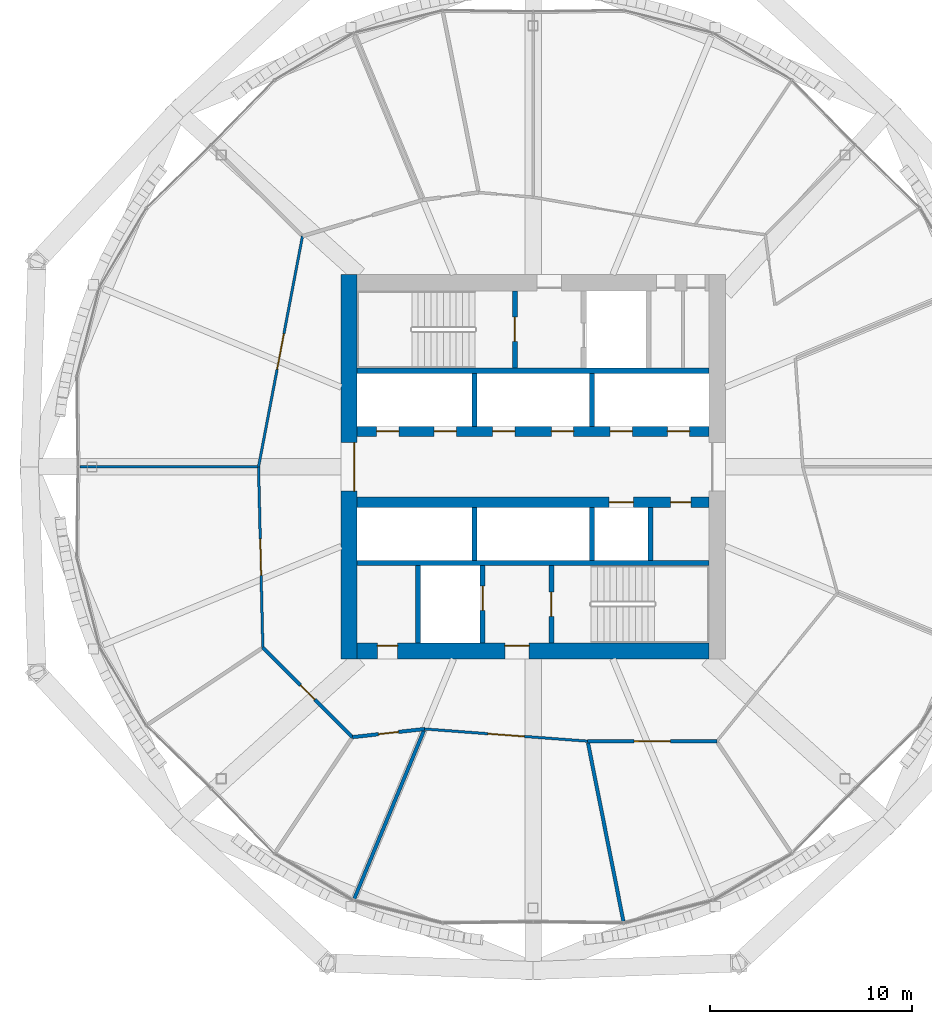
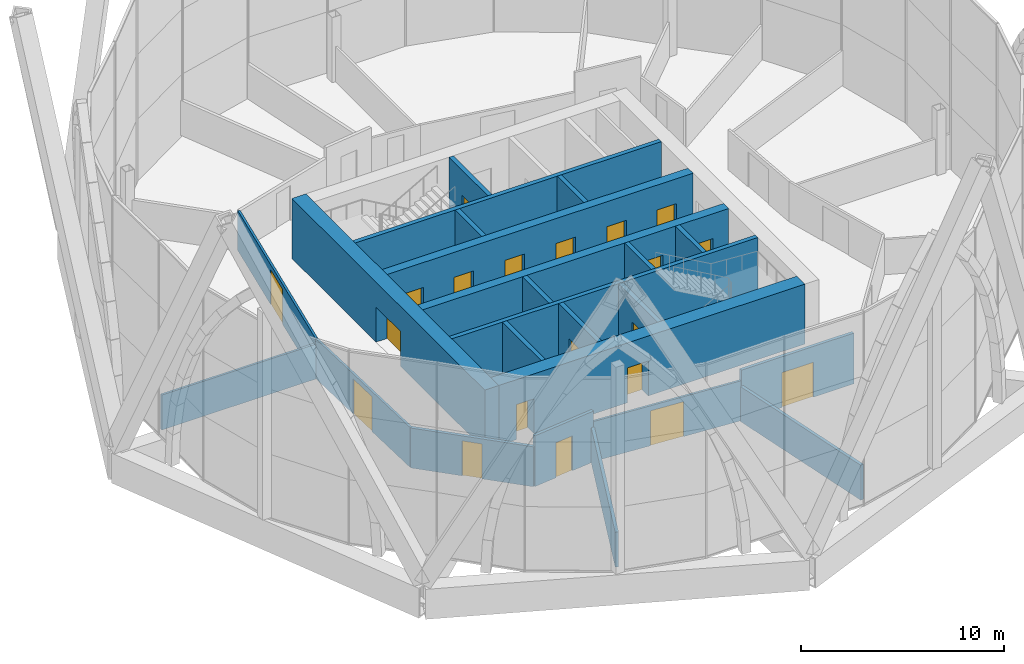
# One storey, part 28 of 37: 24 walls, 20 doors, 20 openings.
"""IFC4 building model written with IfcOpenShell, lengths in metres."""

from ifc_helpers import new_model, si_unit, direction, frame, frame_2d, origin, place, context, subcontext, project, spatial, rectangle, extrude, material, layer, layer_set, type_object, element, fill, save


model = new_model("IFC4")

# Units and contexts
model_context = context("Model", 3, precision=1e-05, world=origin(), true_north=direction((0.0, 1.0)))
body_context = subcontext(model_context, "Body", "Model", "MODEL_VIEW")
ifc_project = project(units=[si_unit("LENGTHUNIT", "METRE"), si_unit("AREAUNIT", "SQUARE_METRE"), si_unit("VOLUMEUNIT", "CUBIC_METRE"), si_unit("PLANEANGLEUNIT", "RADIAN"), si_unit("MASSUNIT", "GRAM", prefix="KILO")], contexts=[model_context])

# Site, building, storey
site_placement = place(None, origin())
site = spatial("IfcSite", under=ifc_project, at=site_placement, CompositionType="ELEMENT")
building_placement = place(site_placement, origin())
building = spatial("IfcBuilding", under=site, at=building_placement, Name="Ogive Gate Towers", CompositionType="ELEMENT")
storey_placement = place(building_placement, frame((0.0, 0.0, 32.39990234375)))
storey = spatial("IfcBuildingStorey", under=building, at=storey_placement, Name="L06", CompositionType="ELEMENT", Elevation=32.39990234375)

# Walls
ifc_material_1 = material(Name="Gypsum board acoustic partition")
ifc_layer_1 = layer(ifc_material_1, 0.175048828125)
ifc_layer_set_1 = layer_set([ifc_layer_1], Name="Acoustic partition 175")
wall_type_1 = type_object("IfcWallType", Name="Acoustic partition 175", PredefinedType="PARTITIONING", material=ifc_layer_set_1)
wall_1_placement = place(storey_placement, frame((-44.885986328125, -21.452880859375, 0.0), z_axis=(0.0, 0.0, 1.0), x_axis=(0.382679495808, 0.923881163077, 0.0)))
element("IfcWall", 1, at=wall_1_placement, inside=storey, type_object=wall_type_1, Name="Partition T1-L06-013", PredefinedType="PARTITIONING", context=body_context, shape_type="SweptSolid", body=[
    extrude(rectangle(XDim=9.10205078125, YDim=0.175048828125, at=frame_2d((4.551025390625, 0.0))), origin(), (0.0, 0.0, 1.0), 2.10009765625),
])
wall_2_placement = place(storey_placement, frame((-31.538330078125, -22.470947265625, 0.0), z_axis=(0.0, 0.0, 1.0), x_axis=(-0.194737431918, 0.980855408615, 0.0)))
element("IfcWall", 2, at=wall_2_placement, inside=storey, type_object=wall_type_1, Name="Partition T1-L06-014", PredefinedType="PARTITIONING", context=body_context, shape_type="SweptSolid", body=[
    extrude(rectangle(XDim=8.991455078125, YDim=0.175048828125, at=frame_2d((4.49560546875, 0.0))), origin(), (0.0, 0.0, 1.0), 2.10009765625),
])

# Wall, opening, door
wall_3_placement = place(storey_placement, frame((-49.367431640625, -8.9384765625, 0.0), z_axis=(0.0, 0.0, 1.0), x_axis=(0.707106781187, -0.707106781187, 0.0)))
wall_3 = element("IfcWall", 3, at=wall_3_placement, inside=storey, type_object=wall_type_1, Name="Partition T1-L06-025", PredefinedType="PARTITIONING", context=body_context, shape_type="SweptSolid", body=[
    extrude(rectangle(XDim=6.263427734375, YDim=0.175048828125, at=frame_2d((3.1318359375, 0.0))), origin(), (0.0, 0.0, 1.0), 2.400146484375),
])
opening_1_placement = place(wall_3_placement, frame((2.632080078125, 0.0, 0.0)))
opening_1 = element("IfcOpeningElement", 4, at=opening_1_placement, cuts=wall_3, Name="Opening T1-L06-D09", PredefinedType="OPENING", context=body_context, shape_type="SweptSolid", body=[
    extrude(rectangle(XDim=1.0, YDim=2.10009765625, at=frame_2d((0.5, 1.050048828125))), frame((0.0, 0.09765625, 0.0), z_axis=(0.0, -1.0, 0.0), x_axis=(1.0, 0.0, 0.0)), (0.0, 0.0, 1.0), 0.195068359375),
])
ifc_material_2 = material(Name="Timber door", Category="wood")
door_type_1 = type_object("IfcDoorType", Name="Door 1000", OperationType="NOTDEFINED", PredefinedType="DOOR", material=ifc_material_2)
door_1_placement = place(opening_1_placement, origin())
door_1 = element("IfcDoor", 5, at=door_1_placement, inside=storey, type_object=door_type_1, Name="Door T1-L06-D09", OperationType="SINGLE_SWING_RIGHT", OverallHeight=2.10009765625, OverallWidth=1.0, PredefinedType="DOOR", context=body_context, shape_type="SweptSolid", body=[
    extrude(rectangle(XDim=1.0, YDim=2.10009765625, at=frame_2d((0.5, 1.050048828125))), frame((0.0, 0.02490234375, 0.0), z_axis=(0.0, -1.0, 0.0), x_axis=(1.0, 0.0, 0.0)), (0.0, 0.0, 1.0), 0.050048828125),
])
fill(opening_1, door_1)

wall_4_placement = place(storey_placement, frame((-44.9384765625, -13.367431640625, 0.0), z_axis=(0.0, 0.0, 1.0), x_axis=(0.993637621277, 0.11262449815, 0.0)))
wall_4 = element("IfcWall", 6, at=wall_4_placement, inside=storey, type_object=wall_type_1, Name="Partition T1-L06-026", PredefinedType="PARTITIONING", context=body_context, shape_type="SweptSolid", body=[
    extrude(rectangle(XDim=3.592041015625, YDim=0.175048828125, at=frame_2d((1.7958984375, 0.0))), origin(), (0.0, 0.0, 1.0), 3.050048828125),
])
opening_2_placement = place(wall_4_placement, frame((1.2958984375, 0.0, 0.0)))
opening_2 = element("IfcOpeningElement", 7, at=opening_2_placement, cuts=wall_4, Name="Opening T1-L06-D10", PredefinedType="OPENING", context=body_context, shape_type="SweptSolid", body=[
    extrude(rectangle(XDim=1.0, YDim=2.10009765625, at=frame_2d((0.5, 1.050048828125))), frame((0.0, 0.09765625, 0.0), z_axis=(0.0, -1.0, 0.0), x_axis=(1.0, 0.0, 0.0)), (0.0, 0.0, 1.0), 0.195068359375),
])
door_2_placement = place(opening_2_placement, origin())
door_2 = element("IfcDoor", 8, at=door_2_placement, inside=storey, type_object=door_type_1, Name="Door T1-L06-D10", OperationType="SINGLE_SWING_LEFT", OverallHeight=2.10009765625, OverallWidth=1.0, PredefinedType="DOOR", context=body_context, shape_type="SweptSolid", body=[
    extrude(rectangle(XDim=1.0, YDim=2.10009765625, at=frame_2d((0.5, 1.050048828125))), frame((0.0, 0.02490234375, 0.0), z_axis=(0.0, -1.0, 0.0), x_axis=(1.0, 0.0, 0.0)), (0.0, 0.0, 1.0), 0.050048828125),
])
fill(opening_2, door_2)

wall_5_placement = place(storey_placement, frame((-33.306396484375, -13.56591796875, 0.0), z_axis=(0.0, 0.0, 1.0), x_axis=(0.999998944011, -0.00145326449, 0.0)))
wall_5 = element("IfcWall", 9, at=wall_5_placement, inside=storey, type_object=wall_type_1, Name="Partition T1-L06-028", PredefinedType="PARTITIONING", context=body_context, shape_type="SweptSolid", body=[
    extrude(rectangle(XDim=6.3837890625, YDim=0.175048828125, at=frame_2d((3.19189453125, 0.0))), origin(), (0.0, 0.0, 1.0), 3.050048828125),
])
opening_3_placement = place(wall_5_placement, frame((2.2919921875, 0.0, 0.0)))
opening_3 = element("IfcOpeningElement", 10, at=opening_3_placement, cuts=wall_5, Name="Opening T1-L06-D12", PredefinedType="OPENING", context=body_context, shape_type="SweptSolid", body=[
    extrude(rectangle(XDim=1.800048828125, YDim=2.10009765625, at=frame_2d((0.89990234375, 1.050048828125))), frame((0.0, 0.09765625, 0.0), z_axis=(0.0, -1.0, 0.0), x_axis=(1.0, 0.0, 0.0)), (0.0, 0.0, 1.0), 0.195068359375),
])
door_type_2 = type_object("IfcDoorType", Name="Door pair 1800", OperationType="NOTDEFINED", PredefinedType="DOOR", material=ifc_material_2)
door_3_placement = place(opening_3_placement, origin())
door_3 = element("IfcDoor", 11, at=door_3_placement, inside=storey, type_object=door_type_2, Name="Door T1-L06-D12", OperationType="DOUBLE_DOOR_DOUBLE_SWING", OverallHeight=2.10009765625, OverallWidth=1.800048828125, PredefinedType="DOOR", context=body_context, shape_type="SweptSolid", body=[
    extrude(rectangle(XDim=1.800048828125, YDim=2.10009765625, at=frame_2d((0.89990234375, 1.050048828125))), frame((0.0, 0.02490234375, 0.0), z_axis=(0.0, -1.0, 0.0), x_axis=(1.0, 0.0, 0.0)), (0.0, 0.0, 1.0), 0.050048828125),
])
fill(opening_3, door_3)

# Wall, openings, doors
ifc_material_3 = material(Name="Concrete C60/75", Category="concrete")
ifc_layer_2 = layer(ifc_material_3, 0.800048828125)
ifc_layer_set_2 = layer_set([ifc_layer_2], Name="Core wall 800 mm")
wall_type_2 = type_object("IfcWallType", Name="Core wall 800 mm", PredefinedType="SHEAR", material=ifc_layer_set_2)
wall_6_placement = place(storey_placement, frame((-44.699951171875, -9.10009765625, 0.0), z_axis=(0.0, 0.0, 1.0), x_axis=(1.0, 0.0, 0.0)))
wall_6 = element("IfcWall", 12, at=wall_6_placement, inside=storey, type_object=wall_type_2, Name="T1 L06 Core wall 800 mm", PredefinedType="SHEAR", context=body_context, shape_type="SweptSolid", body=[
    extrude(rectangle(XDim=17.39990234375, YDim=0.800048828125, at=frame_2d((8.699951171875, 0.0))), origin(), (0.0, 0.0, 1.0), 3.60009765625),
])
opening_4_placement = place(wall_6_placement, frame((7.300048828125, 0.0, 0.0)))
opening_4 = element("IfcOpeningElement", 13, at=opening_4_placement, cuts=wall_6, Name="Opening KD-T1-L06-16", PredefinedType="OPENING", context=body_context, shape_type="SweptSolid", body=[
    extrude(rectangle(XDim=1.199951171875, YDim=2.10009765625, at=frame_2d((0.60009765625, 1.050048828125))), frame((0.0, 0.41015625, 0.0), z_axis=(0.0, -1.0, 0.0), x_axis=(1.0, 0.0, 0.0)), (0.0, 0.0, 1.0), 0.820068359375),
])
opening_5_placement = place(wall_6_placement, frame((1.0, 0.0, 0.0)))
opening_5 = element("IfcOpeningElement", 14, at=opening_5_placement, cuts=wall_6, Name="Opening KD-T1-L06-19", PredefinedType="OPENING", context=body_context, shape_type="SweptSolid", body=[
    extrude(rectangle(XDim=1.0, YDim=2.10009765625, at=frame_2d((0.5, 1.050048828125))), frame((0.0, 0.41015625, 0.0), z_axis=(0.0, -1.0, 0.0), x_axis=(1.0, 0.0, 0.0)), (0.0, 0.0, 1.0), 0.820068359375),
])
door_type_3 = type_object("IfcDoorType", Name="Accessible WC door 1000 x 2100", OperationType="NOTDEFINED", PredefinedType="DOOR", material=ifc_material_2)
door_4_placement = place(opening_5_placement, origin())
door_4 = element("IfcDoor", 15, at=door_4_placement, inside=storey, type_object=door_type_3, Name="T1 L06 Core door", OperationType="SINGLE_SWING_RIGHT", OverallHeight=2.10009765625, OverallWidth=1.0, PredefinedType="DOOR", context=body_context, shape_type="SweptSolid", body=[
    extrude(rectangle(XDim=1.0, YDim=2.10009765625, at=frame_2d((0.5, 1.050048828125))), frame((0.0, 0.27490234375, 0.0), z_axis=(0.0, -1.0, 0.0), x_axis=(1.0, 0.0, 0.0)), (0.0, 0.0, 1.0), 0.050048828125),
])
fill(opening_5, door_4)
ifc_material_4 = material(Name="Steel fire door", Category="steel")
door_type_4 = type_object("IfcDoorType", Name="Core door FD60S 1200 x 2100", OperationType="NOTDEFINED", PredefinedType="DOOR", material=ifc_material_4)
door_5_placement = place(opening_4_placement, origin())
door_5 = element("IfcDoor", 16, at=door_5_placement, inside=storey, type_object=door_type_4, Name="T1 L06 Fire-fighting lobby door", OperationType="SINGLE_SWING_LEFT", OverallHeight=2.10009765625, OverallWidth=1.199951171875, PredefinedType="DOOR", context=body_context, shape_type="SweptSolid", body=[
    extrude(rectangle(XDim=1.199951171875, YDim=2.10009765625, at=frame_2d((0.60009765625, 1.050048828125))), frame((0.0, 0.27490234375, 0.0), z_axis=(0.0, -1.0, 0.0), x_axis=(1.0, 0.0, 0.0)), (0.0, 0.0, 1.0), 0.050048828125),
])
fill(opening_4, door_5)

# Wall, opening, door
wall_7_placement = place(storey_placement, frame((-45.10009765625, -9.5, 0.0), z_axis=(0.0, 0.0, 1.0), x_axis=(0.0, 1.0, 0.0)))
wall_7 = element("IfcWall", 17, at=wall_7_placement, inside=storey, type_object=wall_type_2, Name="T1 L06 Core wall 800 mm", PredefinedType="SHEAR", context=body_context, shape_type="SweptSolid", body=[
    extrude(rectangle(XDim=19.0, YDim=0.800048828125, at=frame_2d((9.5, 0.0))), origin(), (0.0, 0.0, 1.0), 3.60009765625),
])
opening_6_placement = place(wall_7_placement, frame((8.300048828125, 0.0, 0.0)))
opening_6 = element("IfcOpeningElement", 18, at=opening_6_placement, cuts=wall_7, Name="Opening KD-T1-L06-01", PredefinedType="OPENING", context=body_context, shape_type="SweptSolid", body=[
    extrude(rectangle(XDim=2.39990234375, YDim=2.10009765625, at=frame_2d((1.199951171875, 1.050048828125))), frame((0.0, 0.41015625, 0.0), z_axis=(0.0, -1.0, 0.0), x_axis=(1.0, 0.0, 0.0)), (0.0, 0.0, 1.0), 0.820068359375),
])
door_type_5 = type_object("IfcDoorType", Name="Core double door FD60S 2400 x 2100", OperationType="DOUBLE_DOOR_SINGLE_SWING", PredefinedType="DOOR", material=ifc_material_4)
door_6_placement = place(opening_6_placement, origin())
door_6 = element("IfcDoor", 19, at=door_6_placement, inside=storey, type_object=door_type_5, Name="T1 L06 Core door double", OperationType="DOUBLE_DOOR_SINGLE_SWING", OverallHeight=2.10009765625, OverallWidth=2.39990234375, PredefinedType="DOOR", context=body_context, shape_type="SweptSolid", body=[
    extrude(rectangle(XDim=2.39990234375, YDim=2.10009765625, at=frame_2d((1.199951171875, 1.050048828125))), frame((0.0, -0.22509765625, 0.0), z_axis=(0.0, -1.0, 0.0), x_axis=(1.0, 0.0, 0.0)), (0.0, 0.0, 1.0), 0.050048828125),
])
fill(opening_6, door_6)

# Wall
ifc_material_5 = material(Name="Gypsum board partition")
ifc_layer_3 = layer(ifc_material_5, 0.125)
ifc_layer_set_3 = layer_set([ifc_layer_3], Name="Partition 125")
wall_type_3 = type_object("IfcWallType", Name="Partition 125", PredefinedType="PARTITIONING", material=ifc_layer_set_3)
wall_8_placement = place(storey_placement, frame((-58.408935546875, 0.0, 0.0), z_axis=(0.0, 0.0, 1.0), x_axis=(1.0, 0.0, 0.0)))
element("IfcWall", 20, at=wall_8_placement, inside=storey, type_object=wall_type_3, Name="Partition T1-L06-010", PredefinedType="PARTITIONING", context=body_context, shape_type="SweptSolid", body=[
    extrude(rectangle(XDim=8.766357421875, YDim=0.125, at=frame_2d((4.38330078125, 0.0))), origin(), (0.0, 0.0, 1.0), 2.10009765625),
])

# Wall, opening, door
wall_9_placement = place(storey_placement, frame((-47.40576171875, 11.40576171875, 0.0), z_axis=(0.0, 0.0, 1.0), x_axis=(-0.187260900708, -0.982310213256, 0.0)))
wall_9 = element("IfcWall", 21, at=wall_9_placement, inside=storey, type_object=wall_type_3, Name="Partition T1-L06-023", PredefinedType="PARTITIONING", context=body_context, shape_type="SweptSolid", body=[
    extrude(rectangle(XDim=11.611083984375, YDim=0.125, at=frame_2d((5.8056640625, 0.0))), origin(), (0.0, 0.0, 1.0), 2.400146484375),
])
opening_7_placement = place(wall_9_placement, frame((4.906005859375, 0.0, 0.0)))
opening_7 = element("IfcOpeningElement", 22, at=opening_7_placement, cuts=wall_9, Name="Opening T1-L06-D07", PredefinedType="OPENING", context=body_context, shape_type="SweptSolid", body=[
    extrude(rectangle(XDim=1.800048828125, YDim=2.10009765625, at=frame_2d((0.89990234375, 1.050048828125))), frame((0.0, 0.072509765625, 0.0), z_axis=(0.0, -1.0, 0.0), x_axis=(1.0, 0.0, 0.0)), (0.0, 0.0, 1.0), 0.14501953125),
])
door_7_placement = place(opening_7_placement, origin())
door_7 = element("IfcDoor", 23, at=door_7_placement, inside=storey, type_object=door_type_2, Name="Door T1-L06-D07", OperationType="DOUBLE_DOOR_DOUBLE_SWING", OverallHeight=2.10009765625, OverallWidth=1.800048828125, PredefinedType="DOOR", context=body_context, shape_type="SweptSolid", body=[
    extrude(rectangle(XDim=1.800048828125, YDim=2.10009765625, at=frame_2d((0.89990234375, 1.050048828125))), frame((0.0, 0.02490234375, 0.0), z_axis=(0.0, -1.0, 0.0), x_axis=(1.0, 0.0, 0.0)), (0.0, 0.0, 1.0), 0.050048828125),
])
fill(opening_7, door_7)

wall_10_placement = place(storey_placement, frame((-49.580078125, 0.0, 0.0), z_axis=(0.0, 0.0, 1.0), x_axis=(0.023783284904, -0.999717137674, 0.0)))
wall_10 = element("IfcWall", 24, at=wall_10_placement, inside=storey, type_object=wall_type_3, Name="Partition T1-L06-024", PredefinedType="PARTITIONING", context=body_context, shape_type="SweptSolid", body=[
    extrude(rectangle(XDim=8.94091796875, YDim=0.125, at=frame_2d((4.470458984375, 0.0))), origin(), (0.0, 0.0, 1.0), 2.400146484375),
])
opening_8_placement = place(wall_10_placement, frame((3.570068359375, 0.0, 0.0)))
opening_8 = element("IfcOpeningElement", 25, at=opening_8_placement, cuts=wall_10, Name="Opening T1-L06-D08", PredefinedType="OPENING", context=body_context, shape_type="SweptSolid", body=[
    extrude(rectangle(XDim=1.800048828125, YDim=2.10009765625, at=frame_2d((0.89990234375, 1.050048828125))), frame((0.0, 0.072509765625, 0.0), z_axis=(0.0, -1.0, 0.0), x_axis=(1.0, 0.0, 0.0)), (0.0, 0.0, 1.0), 0.14501953125),
])
door_8_placement = place(opening_8_placement, origin())
door_8 = element("IfcDoor", 26, at=door_8_placement, inside=storey, type_object=door_type_2, Name="Door T1-L06-D08", OperationType="DOUBLE_DOOR_DOUBLE_SWING", OverallHeight=2.10009765625, OverallWidth=1.800048828125, PredefinedType="DOOR", context=body_context, shape_type="SweptSolid", body=[
    extrude(rectangle(XDim=1.800048828125, YDim=2.10009765625, at=frame_2d((0.89990234375, 1.050048828125))), frame((0.0, 0.02490234375, 0.0), z_axis=(0.0, -1.0, 0.0), x_axis=(1.0, 0.0, 0.0)), (0.0, 0.0, 1.0), 0.050048828125),
])
fill(opening_8, door_8)

wall_11_placement = place(storey_placement, frame((-41.369384765625, -12.962890625, 0.0), z_axis=(0.0, 0.0, 1.0), x_axis=(0.997214939079, -0.074581266261, 0.0)))
wall_11 = element("IfcWall", 27, at=wall_11_placement, inside=storey, type_object=wall_type_3, Name="Partition T1-L06-027", PredefinedType="PARTITIONING", context=body_context, shape_type="SweptSolid", body=[
    extrude(rectangle(XDim=8.08544921875, YDim=0.125, at=frame_2d((4.042724609375, 0.0))), origin(), (0.0, 0.0, 1.0), 2.400146484375),
])
opening_9_placement = place(wall_11_placement, frame((3.14306640625, 0.0, 0.0)))
opening_9 = element("IfcOpeningElement", 28, at=opening_9_placement, cuts=wall_11, Name="Opening T1-L06-D11", PredefinedType="OPENING", context=body_context, shape_type="SweptSolid", body=[
    extrude(rectangle(XDim=1.800048828125, YDim=2.10009765625, at=frame_2d((0.89990234375, 1.050048828125))), frame((0.0, 0.072509765625, 0.0), z_axis=(0.0, -1.0, 0.0), x_axis=(1.0, 0.0, 0.0)), (0.0, 0.0, 1.0), 0.14501953125),
])
door_9_placement = place(opening_9_placement, origin())
door_9 = element("IfcDoor", 29, at=door_9_placement, inside=storey, type_object=door_type_2, Name="Door T1-L06-D11", OperationType="DOUBLE_DOOR_DOUBLE_SWING", OverallHeight=2.10009765625, OverallWidth=1.800048828125, PredefinedType="DOOR", context=body_context, shape_type="SweptSolid", body=[
    extrude(rectangle(XDim=1.800048828125, YDim=2.10009765625, at=frame_2d((0.89990234375, 1.050048828125))), frame((0.0, 0.02490234375, 0.0), z_axis=(0.0, -1.0, 0.0), x_axis=(1.0, 0.0, 0.0)), (0.0, 0.0, 1.0), 0.050048828125),
])
fill(opening_9, door_9)

# Walls
ifc_layer_4 = layer(ifc_material_3, 0.25)
ifc_layer_set_4 = layer_set([ifc_layer_4], Name="Shaft wall 250 mm")
wall_type_4 = type_object("IfcWallType", Name="Shaft wall 250 mm", PredefinedType="SHEAR", material=ifc_layer_set_4)
for number, where, z_axis, x_axis, name in (
    (30, (-44.699951171875, -4.75, 0.0), (0.0, 0.0, 1.0), (1.0, 0.0, 0.0), "T1 L06 Shaft wall 250 mm"),
    (31, (-44.699951171875, 4.75, 0.0), (0.0, 0.0, 1.0), (1.0, 0.0, 0.0), "T1 L06 Shaft wall 250 mm"),
):
    element("IfcWall", number, at=place(storey_placement, frame(where, z_axis=z_axis, x_axis=x_axis)), inside=storey, type_object=wall_type_4, Name=name, PredefinedType="SHEAR", context=body_context, shape_type="SweptSolid", body=[
        extrude(rectangle(XDim=17.39990234375, YDim=0.25, at=frame_2d((8.699951171875, 0.0))), origin(), (0.0, 0.0, 1.0), 3.60009765625),
    ])
wall_12_placement = place(storey_placement, frame((-41.699951171875, -8.699951171875, 0.0), z_axis=(0.0, 0.0, 1.0), x_axis=(0.0, 1.0, 0.0)))
element("IfcWall", 32, at=wall_12_placement, inside=storey, type_object=wall_type_4, Name="T1 L06 Shaft wall 250 mm", PredefinedType="SHEAR", context=body_context, shape_type="SweptSolid", body=[
    extrude(rectangle(XDim=3.824951171875, YDim=0.25, at=frame_2d((1.91259765625, 0.0))), origin(), (0.0, 0.0, 1.0), 3.60009765625),
])
for number, where, z_axis, x_axis, name in (
    (33, (-38.89990234375, -4.625, 0.0), (0.0, 0.0, 1.0), (0.0, 1.0, 0.0), "T1 L06 Shaft wall 250 mm"),
    (34, (-38.89990234375, 2.0, 0.0), (0.0, 0.0, 1.0), (0.0, 1.0, 0.0), "T1 L06 Shaft wall 250 mm"),
):
    element("IfcWall", number, at=place(storey_placement, frame(where, z_axis=z_axis, x_axis=x_axis)), inside=storey, type_object=wall_type_4, Name=name, PredefinedType="SHEAR", context=body_context, shape_type="SweptSolid", body=[
        extrude(rectangle(XDim=2.625, YDim=0.25, at=frame_2d((1.3125, 0.0))), origin(), (0.0, 0.0, 1.0), 3.60009765625),
    ])

# Wall, opening, door
wall_13_placement = place(storey_placement, frame((-38.5, -8.699951171875, 0.0), z_axis=(0.0, 0.0, 1.0), x_axis=(0.0, 1.0, 0.0)))
wall_13 = element("IfcWall", 35, at=wall_13_placement, inside=storey, type_object=wall_type_4, Name="T1 L06 Shaft wall 250 mm", PredefinedType="SHEAR", context=body_context, shape_type="SweptSolid", body=[
    extrude(rectangle(XDim=3.824951171875, YDim=0.25, at=frame_2d((1.91259765625, 0.0))), origin(), (0.0, 0.0, 1.0), 3.60009765625),
])
opening_10_placement = place(wall_13_placement, frame((1.60009765625, 0.0, 0.0)))
opening_10 = element("IfcOpeningElement", 36, at=opening_10_placement, cuts=wall_13, Name="Opening LD-T1-L06-11", PredefinedType="OPENING", context=body_context, shape_type="SweptSolid", body=[
    extrude(rectangle(XDim=1.199951171875, YDim=2.10009765625, at=frame_2d((0.60009765625, 1.050048828125))), frame((0.0, 0.135009765625, 0.0), z_axis=(0.0, -1.0, 0.0), x_axis=(1.0, 0.0, 0.0)), (0.0, 0.0, 1.0), 0.27001953125),
])
ifc_material_6 = material(Name="Stainless steel landing door", Category="steel")
door_type_6 = type_object("IfcDoorType", Name="Landing door 1200 x 2100", OperationType="SLIDING_TO_LEFT", PredefinedType="DOOR", material=ifc_material_6)
door_10_placement = place(opening_10_placement, origin())
door_10 = element("IfcDoor", 37, at=door_10_placement, inside=storey, type_object=door_type_6, Name="T1 L06 Lift landing door FF2", OperationType="SLIDING_TO_LEFT", OverallHeight=2.10009765625, OverallWidth=1.199951171875, PredefinedType="DOOR", context=body_context, shape_type="SweptSolid", body=[
    extrude(rectangle(XDim=1.199951171875, YDim=2.10009765625, at=frame_2d((0.60009765625, 1.050048828125))), frame((0.0, 0.02490234375, 0.0), z_axis=(0.0, -1.0, 0.0), x_axis=(1.0, 0.0, 0.0)), (0.0, 0.0, 1.0), 0.050048828125),
])
fill(opening_10, door_10)

wall_14_placement = place(storey_placement, frame((-36.89990234375, 4.875, 0.0), z_axis=(0.0, 0.0, 1.0), x_axis=(0.0, 1.0, 0.0)))
wall_14 = element("IfcWall", 38, at=wall_14_placement, inside=storey, type_object=wall_type_4, Name="T1 L06 Shaft wall 250 mm", PredefinedType="SHEAR", context=body_context, shape_type="SweptSolid", body=[
    extrude(rectangle(XDim=3.824951171875, YDim=0.25, at=frame_2d((1.91259765625, 0.0))), origin(), (0.0, 0.0, 1.0), 3.60009765625),
])
opening_11_placement = place(wall_14_placement, frame((1.324951171875, 0.0, 0.0)))
opening_11 = element("IfcOpeningElement", 39, at=opening_11_placement, cuts=wall_14, Name="Opening KD-T1-L06-13", PredefinedType="OPENING", context=body_context, shape_type="SweptSolid", body=[
    extrude(rectangle(XDim=1.199951171875, YDim=2.10009765625, at=frame_2d((0.60009765625, 1.050048828125))), frame((0.0, 0.135009765625, 0.0), z_axis=(0.0, -1.0, 0.0), x_axis=(1.0, 0.0, 0.0)), (0.0, 0.0, 1.0), 0.27001953125),
])
door_11_placement = place(opening_11_placement, origin())
door_11 = element("IfcDoor", 40, at=door_11_placement, inside=storey, type_object=door_type_4, Name="T1 L06 Stair door", OperationType="SINGLE_SWING_RIGHT", OverallHeight=2.10009765625, OverallWidth=1.199951171875, PredefinedType="DOOR", context=body_context, shape_type="SweptSolid", body=[
    extrude(rectangle(XDim=1.199951171875, YDim=2.10009765625, at=frame_2d((0.60009765625, 1.050048828125))), frame((0.0, 0.02490234375, 0.0), z_axis=(0.0, -1.0, 0.0), x_axis=(1.0, 0.0, 0.0)), (0.0, 0.0, 1.0), 0.050048828125),
])
fill(opening_11, door_11)

wall_15_placement = place(storey_placement, frame((-35.10009765625, -8.699951171875, 0.0), z_axis=(0.0, 0.0, 1.0), x_axis=(0.0, 1.0, 0.0)))
wall_15 = element("IfcWall", 41, at=wall_15_placement, inside=storey, type_object=wall_type_4, Name="T1 L06 Shaft wall 250 mm", PredefinedType="SHEAR", context=body_context, shape_type="SweptSolid", body=[
    extrude(rectangle(XDim=3.824951171875, YDim=0.25, at=frame_2d((1.91259765625, 0.0))), origin(), (0.0, 0.0, 1.0), 3.60009765625),
])
opening_12_placement = place(wall_15_placement, frame((1.300048828125, 0.0, 0.0)))
opening_12 = element("IfcOpeningElement", 42, at=opening_12_placement, cuts=wall_15, Name="Opening KD-T1-L06-14", PredefinedType="OPENING", context=body_context, shape_type="SweptSolid", body=[
    extrude(rectangle(XDim=1.199951171875, YDim=2.10009765625, at=frame_2d((0.60009765625, 1.050048828125))), frame((0.0, 0.135009765625, 0.0), z_axis=(0.0, -1.0, 0.0), x_axis=(1.0, 0.0, 0.0)), (0.0, 0.0, 1.0), 0.27001953125),
])
door_12_placement = place(opening_12_placement, origin())
door_12 = element("IfcDoor", 43, at=door_12_placement, inside=storey, type_object=door_type_4, Name="T1 L06 Stair door", OperationType="SINGLE_SWING_LEFT", OverallHeight=2.10009765625, OverallWidth=1.199951171875, PredefinedType="DOOR", context=body_context, shape_type="SweptSolid", body=[
    extrude(rectangle(XDim=1.199951171875, YDim=2.10009765625, at=frame_2d((0.60009765625, 1.050048828125))), frame((0.0, 0.02490234375, 0.0), z_axis=(0.0, -1.0, 0.0), x_axis=(1.0, 0.0, 0.0)), (0.0, 0.0, 1.0), 0.050048828125),
])
fill(opening_12, door_12)

# Walls
for number, where, z_axis, x_axis, name in (
    (44, (-33.10009765625, -4.625, 0.0), (0.0, 0.0, 1.0), (0.0, 1.0, 0.0), "T1 L06 Shaft wall 250 mm"),
    (45, (-33.10009765625, 2.0, 0.0), (0.0, 0.0, 1.0), (0.0, 1.0, 0.0), "T1 L06 Shaft wall 250 mm"),
    (46, (-30.199951171875, -4.625, 0.0), (0.0, 0.0, 1.0), (0.0, 1.0, 0.0), "T1 L06 Shaft wall 250 mm"),
):
    element("IfcWall", number, at=place(storey_placement, frame(where, z_axis=z_axis, x_axis=x_axis)), inside=storey, type_object=wall_type_4, Name=name, PredefinedType="SHEAR", context=body_context, shape_type="SweptSolid", body=[
        extrude(rectangle(XDim=2.625, YDim=0.25, at=frame_2d((1.3125, 0.0))), origin(), (0.0, 0.0, 1.0), 3.60009765625),
    ])

# Wall, openings, doors
ifc_layer_5 = layer(ifc_material_3, 0.5)
ifc_layer_set_5 = layer_set([ifc_layer_5], Name="Spine wall 500 mm")
wall_type_5 = type_object("IfcWallType", Name="Spine wall 500 mm", PredefinedType="SHEAR", material=ifc_layer_set_5)
wall_16_placement = place(storey_placement, frame((-44.699951171875, -1.75, 0.0), z_axis=(0.0, 0.0, 1.0), x_axis=(1.0, 0.0, 0.0)))
wall_16 = element("IfcWall", 47, at=wall_16_placement, inside=storey, type_object=wall_type_5, Name="T1 L06 Spine wall 500 mm", PredefinedType="SHEAR", context=body_context, shape_type="SweptSolid", body=[
    extrude(rectangle(XDim=17.39990234375, YDim=0.5, at=frame_2d((8.699951171875, 0.0))), origin(), (0.0, 0.0, 1.0), 3.60009765625),
])
opening_13_placement = place(wall_16_placement, frame((12.449951171875, 0.0, 0.0)))
opening_13 = element("IfcOpeningElement", 48, at=opening_13_placement, cuts=wall_16, Name="Opening LD-T1-L06-09", PredefinedType="OPENING", context=body_context, shape_type="SweptSolid", body=[
    extrude(rectangle(XDim=1.199951171875, YDim=2.10009765625, at=frame_2d((0.60009765625, 1.050048828125))), frame((0.0, 0.260009765625, 0.0), z_axis=(0.0, -1.0, 0.0), x_axis=(1.0, 0.0, 0.0)), (0.0, 0.0, 1.0), 0.52001953125),
])
opening_14_placement = place(wall_16_placement, frame((15.5, 0.0, 0.0)))
opening_14 = element("IfcOpeningElement", 49, at=opening_14_placement, cuts=wall_16, Name="Opening KD-T1-L06-12", PredefinedType="OPENING", context=body_context, shape_type="SweptSolid", body=[
    extrude(rectangle(XDim=1.0, YDim=2.10009765625, at=frame_2d((0.5, 1.050048828125))), frame((0.0, 0.260009765625, 0.0), z_axis=(0.0, -1.0, 0.0), x_axis=(1.0, 0.0, 0.0)), (0.0, 0.0, 1.0), 0.52001953125),
])
door_type_7 = type_object("IfcDoorType", Name="Core door FD60S 1000 x 2100", OperationType="NOTDEFINED", PredefinedType="DOOR", material=ifc_material_4)
door_13_placement = place(opening_14_placement, origin())
door_13 = element("IfcDoor", 50, at=door_13_placement, inside=storey, type_object=door_type_7, Name="T1 L06 Core door", OperationType="SINGLE_SWING_LEFT", OverallHeight=2.10009765625, OverallWidth=1.0, PredefinedType="DOOR", context=body_context, shape_type="SweptSolid", body=[
    extrude(rectangle(XDim=1.0, YDim=2.10009765625, at=frame_2d((0.5, 1.050048828125))), frame((0.0, 0.02490234375, 0.0), z_axis=(0.0, -1.0, 0.0), x_axis=(1.0, 0.0, 0.0)), (0.0, 0.0, 1.0), 0.050048828125),
])
fill(opening_14, door_13)
door_14_placement = place(opening_13_placement, origin())
door_14 = element("IfcDoor", 51, at=door_14_placement, inside=storey, type_object=door_type_6, Name="T1 L06 Lift landing door SVC", OperationType="SLIDING_TO_LEFT", OverallHeight=2.10009765625, OverallWidth=1.199951171875, PredefinedType="DOOR", context=body_context, shape_type="SweptSolid", body=[
    extrude(rectangle(XDim=1.199951171875, YDim=2.10009765625, at=frame_2d((0.60009765625, 1.050048828125))), frame((0.0, 0.02490234375, 0.0), z_axis=(0.0, -1.0, 0.0), x_axis=(1.0, 0.0, 0.0)), (0.0, 0.0, 1.0), 0.050048828125),
])
fill(opening_13, door_14)

wall_17_placement = place(storey_placement, frame((-44.699951171875, 1.75, 0.0), z_axis=(0.0, 0.0, 1.0), x_axis=(1.0, 0.0, 0.0)))
wall_17 = element("IfcWall", 52, at=wall_17_placement, inside=storey, type_object=wall_type_5, Name="T1 L06 Spine wall 500 mm", PredefinedType="SHEAR", context=body_context, shape_type="SweptSolid", body=[
    extrude(rectangle(XDim=17.39990234375, YDim=0.5, at=frame_2d((8.699951171875, 0.0))), origin(), (0.0, 0.0, 1.0), 3.60009765625),
])
opening_15_placement = place(wall_17_placement, frame((0.96240234375, 0.0, 0.0)))
opening_15 = element("IfcOpeningElement", 53, at=opening_15_placement, cuts=wall_17, Name="Opening LD-T1-L06-03", PredefinedType="OPENING", context=body_context, shape_type="SweptSolid", body=[
    extrude(rectangle(XDim=1.10009765625, YDim=2.10009765625, at=frame_2d((0.550048828125, 1.050048828125))), frame((0.0, 0.260009765625, 0.0), z_axis=(0.0, -1.0, 0.0), x_axis=(1.0, 0.0, 0.0)), (0.0, 0.0, 1.0), 0.52001953125),
])
opening_16_placement = place(wall_17_placement, frame((3.800048828125, 0.0, 0.0)))
opening_16 = element("IfcOpeningElement", 54, at=opening_16_placement, cuts=wall_17, Name="Opening LD-T1-L06-04", PredefinedType="OPENING", context=body_context, shape_type="SweptSolid", body=[
    extrude(rectangle(XDim=1.10009765625, YDim=2.10009765625, at=frame_2d((0.550048828125, 1.050048828125))), frame((0.0, 0.260009765625, 0.0), z_axis=(0.0, -1.0, 0.0), x_axis=(1.0, 0.0, 0.0)), (0.0, 0.0, 1.0), 0.52001953125),
])
opening_17_placement = place(wall_17_placement, frame((6.699951171875, 0.0, 0.0)))
opening_17 = element("IfcOpeningElement", 55, at=opening_17_placement, cuts=wall_17, Name="Opening LD-T1-L06-05", PredefinedType="OPENING", context=body_context, shape_type="SweptSolid", body=[
    extrude(rectangle(XDim=1.10009765625, YDim=2.10009765625, at=frame_2d((0.550048828125, 1.050048828125))), frame((0.0, 0.260009765625, 0.0), z_axis=(0.0, -1.0, 0.0), x_axis=(1.0, 0.0, 0.0)), (0.0, 0.0, 1.0), 0.52001953125),
])
opening_18_placement = place(wall_17_placement, frame((9.60009765625, 0.0, 0.0)))
opening_18 = element("IfcOpeningElement", 56, at=opening_18_placement, cuts=wall_17, Name="Opening LD-T1-L06-06", PredefinedType="OPENING", context=body_context, shape_type="SweptSolid", body=[
    extrude(rectangle(XDim=1.10009765625, YDim=2.10009765625, at=frame_2d((0.550048828125, 1.050048828125))), frame((0.0, 0.260009765625, 0.0), z_axis=(0.0, -1.0, 0.0), x_axis=(1.0, 0.0, 0.0)), (0.0, 0.0, 1.0), 0.52001953125),
])
opening_19_placement = place(wall_17_placement, frame((12.5, 0.0, 0.0)))
opening_19 = element("IfcOpeningElement", 57, at=opening_19_placement, cuts=wall_17, Name="Opening LD-T1-L06-07", PredefinedType="OPENING", context=body_context, shape_type="SweptSolid", body=[
    extrude(rectangle(XDim=1.10009765625, YDim=2.10009765625, at=frame_2d((0.550048828125, 1.050048828125))), frame((0.0, 0.260009765625, 0.0), z_axis=(0.0, -1.0, 0.0), x_axis=(1.0, 0.0, 0.0)), (0.0, 0.0, 1.0), 0.52001953125),
])
opening_20_placement = place(wall_17_placement, frame((15.33740234375, 0.0, 0.0)))
opening_20 = element("IfcOpeningElement", 58, at=opening_20_placement, cuts=wall_17, Name="Opening LD-T1-L06-08", PredefinedType="OPENING", context=body_context, shape_type="SweptSolid", body=[
    extrude(rectangle(XDim=1.10009765625, YDim=2.10009765625, at=frame_2d((0.550048828125, 1.050048828125))), frame((0.0, 0.260009765625, 0.0), z_axis=(0.0, -1.0, 0.0), x_axis=(1.0, 0.0, 0.0)), (0.0, 0.0, 1.0), 0.52001953125),
])
door_type_8 = type_object("IfcDoorType", Name="Landing door 1100 x 2100", OperationType="SLIDING_TO_LEFT", PredefinedType="DOOR", material=ifc_material_6)
door_15_placement = place(opening_15_placement, origin())
door_15 = element("IfcDoor", 59, at=door_15_placement, inside=storey, type_object=door_type_8, Name="T1 L06 Lift landing door A1", OperationType="SLIDING_TO_LEFT", OverallHeight=2.10009765625, OverallWidth=1.10009765625, PredefinedType="DOOR", context=body_context, shape_type="SweptSolid", body=[
    extrude(rectangle(XDim=1.10009765625, YDim=2.10009765625, at=frame_2d((0.550048828125, 1.050048828125))), frame((0.0, 0.02490234375, 0.0), z_axis=(0.0, -1.0, 0.0), x_axis=(1.0, 0.0, 0.0)), (0.0, 0.0, 1.0), 0.050048828125),
])
fill(opening_15, door_15)
door_16_placement = place(opening_16_placement, origin())
door_16 = element("IfcDoor", 60, at=door_16_placement, inside=storey, type_object=door_type_8, Name="T1 L06 Lift landing door A2", OperationType="SLIDING_TO_LEFT", OverallHeight=2.10009765625, OverallWidth=1.10009765625, PredefinedType="DOOR", context=body_context, shape_type="SweptSolid", body=[
    extrude(rectangle(XDim=1.10009765625, YDim=2.10009765625, at=frame_2d((0.550048828125, 1.050048828125))), frame((0.0, 0.02490234375, 0.0), z_axis=(0.0, -1.0, 0.0), x_axis=(1.0, 0.0, 0.0)), (0.0, 0.0, 1.0), 0.050048828125),
])
fill(opening_16, door_16)
door_17_placement = place(opening_17_placement, origin())
door_17 = element("IfcDoor", 61, at=door_17_placement, inside=storey, type_object=door_type_8, Name="T1 L06 Lift landing door A3", OperationType="SLIDING_TO_LEFT", OverallHeight=2.10009765625, OverallWidth=1.10009765625, PredefinedType="DOOR", context=body_context, shape_type="SweptSolid", body=[
    extrude(rectangle(XDim=1.10009765625, YDim=2.10009765625, at=frame_2d((0.550048828125, 1.050048828125))), frame((0.0, 0.02490234375, 0.0), z_axis=(0.0, -1.0, 0.0), x_axis=(1.0, 0.0, 0.0)), (0.0, 0.0, 1.0), 0.050048828125),
])
fill(opening_17, door_17)
door_18_placement = place(opening_18_placement, origin())
door_18 = element("IfcDoor", 62, at=door_18_placement, inside=storey, type_object=door_type_8, Name="T1 L06 Lift landing door A4", OperationType="SLIDING_TO_LEFT", OverallHeight=2.10009765625, OverallWidth=1.10009765625, PredefinedType="DOOR", context=body_context, shape_type="SweptSolid", body=[
    extrude(rectangle(XDim=1.10009765625, YDim=2.10009765625, at=frame_2d((0.550048828125, 1.050048828125))), frame((0.0, 0.02490234375, 0.0), z_axis=(0.0, -1.0, 0.0), x_axis=(1.0, 0.0, 0.0)), (0.0, 0.0, 1.0), 0.050048828125),
])
fill(opening_18, door_18)
door_19_placement = place(opening_19_placement, origin())
door_19 = element("IfcDoor", 63, at=door_19_placement, inside=storey, type_object=door_type_8, Name="T1 L06 Lift landing door A5", OperationType="SLIDING_TO_LEFT", OverallHeight=2.10009765625, OverallWidth=1.10009765625, PredefinedType="DOOR", context=body_context, shape_type="SweptSolid", body=[
    extrude(rectangle(XDim=1.10009765625, YDim=2.10009765625, at=frame_2d((0.550048828125, 1.050048828125))), frame((0.0, 0.02490234375, 0.0), z_axis=(0.0, -1.0, 0.0), x_axis=(1.0, 0.0, 0.0)), (0.0, 0.0, 1.0), 0.050048828125),
])
fill(opening_19, door_19)
door_20_placement = place(opening_20_placement, origin())
door_20 = element("IfcDoor", 64, at=door_20_placement, inside=storey, type_object=door_type_8, Name="T1 L06 Lift landing door A6", OperationType="SLIDING_TO_LEFT", OverallHeight=2.10009765625, OverallWidth=1.10009765625, PredefinedType="DOOR", context=body_context, shape_type="SweptSolid", body=[
    extrude(rectangle(XDim=1.10009765625, YDim=2.10009765625, at=frame_2d((0.550048828125, 1.050048828125))), frame((0.0, 0.02490234375, 0.0), z_axis=(0.0, -1.0, 0.0), x_axis=(1.0, 0.0, 0.0)), (0.0, 0.0, 1.0), 0.050048828125),
])
fill(opening_20, door_20)

save(model, "model.ifc")
